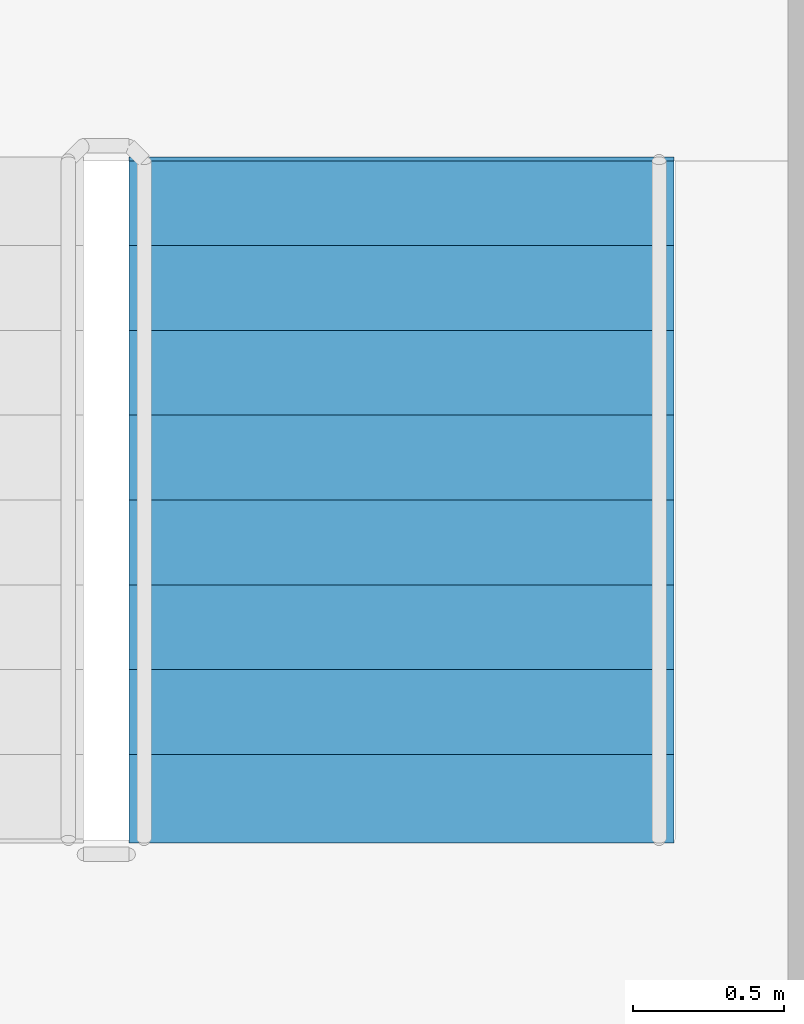
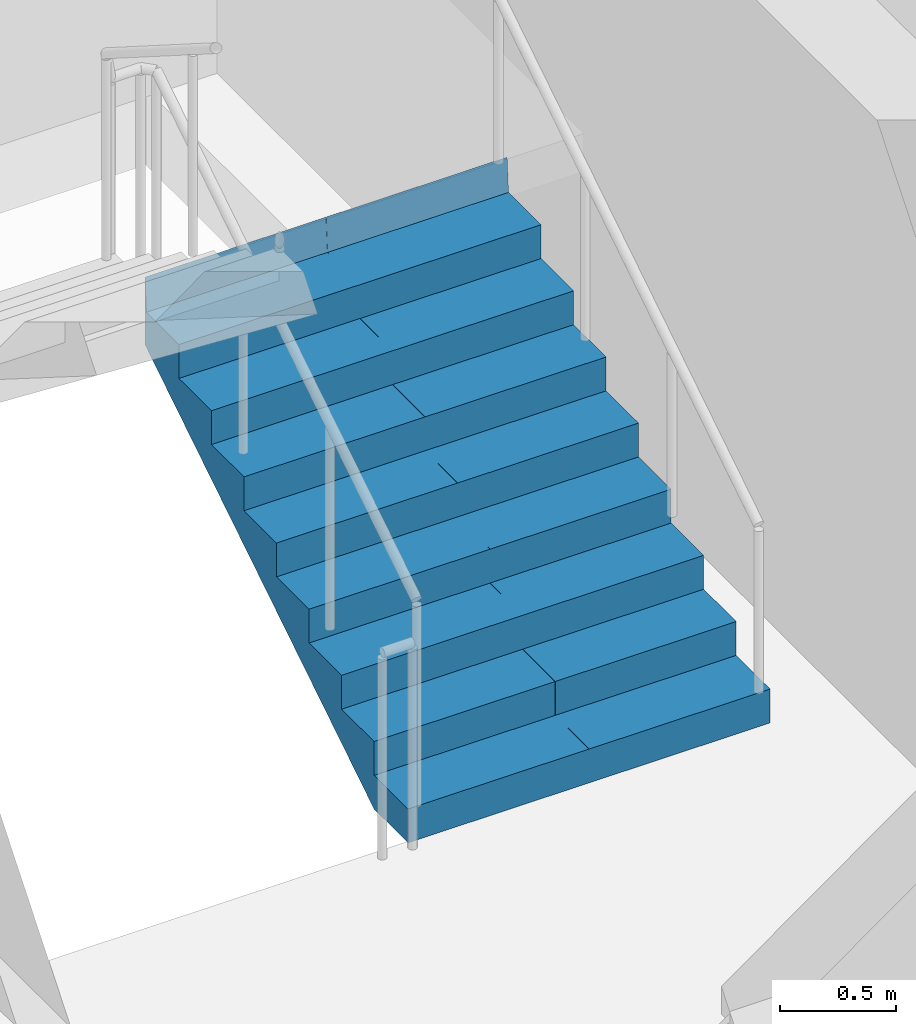
# One storey, part 14 of 17: 1 stair flight, 1 element without a shape of its own.
"""IFC4 building model written with IfcOpenShell, lengths in metres."""

from ifc_helpers import new_model, si_unit, direction, frame, origin, place, context, subcontext, project, spatial, polyline, outline, extrude, material, type_object, element, aggregate, save


model = new_model("IFC4")

# Units and contexts
model_context = context("Model", 3, precision=1e-05, world=origin(), true_north=direction((0.0, 1.0)))
body_context = subcontext(model_context, "Body", "Model", "MODEL_VIEW")
ifc_project = project(units=[si_unit("LENGTHUNIT", "METRE"), si_unit("AREAUNIT", "SQUARE_METRE"), si_unit("VOLUMEUNIT", "CUBIC_METRE"), si_unit("PLANEANGLEUNIT", "RADIAN"), si_unit("MASSUNIT", "GRAM", prefix="KILO")], contexts=[model_context])

# Site, building, storey
site_placement = place(None, origin())
site = spatial("IfcSite", under=ifc_project, at=site_placement, CompositionType="ELEMENT")
building_placement = place(site_placement, origin())
building = spatial("IfcBuilding", under=site, at=building_placement, Name="Wharfspan Tower", CompositionType="ELEMENT")
storey_placement = place(building_placement, frame((0.0, 0.0, 261.100098)))
storey = spatial("IfcBuildingStorey", under=building, at=storey_placement, Name="L66", CompositionType="ELEMENT", Elevation=261.100098)

# Stair, stair flight
ifc_material = material(Name="Concrete C40/50", Category="concrete")
stair_type = type_object("IfcStairType", Name="Half-turn stair 18 risers 178 mm", PredefinedType="HALF_TURN_STAIR", material=ifc_material)
stair_placement = place(storey_placement, origin())
stair = element("IfcStair", 1, at=stair_placement, inside=storey, type_object=stair_type, Name="L66 stair ST2", PredefinedType="HALF_TURN_STAIR")
stair_flight_type = type_object("IfcStairFlightType", Name="Stair flight 18 risers 178 mm", PredefinedType="STRAIGHT", material=ifc_material)
stair_flight_placement = place(storey_placement, frame((49.5, 42.0, 0.0), z_axis=(0.0, 0.0, 1.0), x_axis=(0.0, 1.0, 0.0)))
stair_flight = element("IfcStairFlight", 2, at=stair_flight_placement, type_object=stair_flight_type, Name="ST2 flight 1", NumberOfRisers=9, NumberOfTreads=8, PredefinedType="STRAIGHT", RiserHeight=0.177778, TreadLength=0.28, context=body_context, shape_type="SweptSolid", body=[
    extrude(outline(polyline([(-0.011963, 0.0), (-0.011963, 0.177734), (0.0, 0.177734), (0.280029, 0.177734), (0.280029, 0.355469), (0.560059, 0.355469), (0.560059, 0.533447), (0.840088, 0.533447), (0.840088, 0.711182), (1.120117, 0.711182), (1.120117, 0.888916), (1.399902, 0.888916), (1.399902, 1.06665), (1.679932, 1.06665), (1.679932, 1.244385), (1.959961, 1.244385), (1.959961, 1.422119), (2.23999, 1.422119), (2.251953, 1.600098), (2.251953, 1.244629), (0.279785, 0.0), (-0.011963, 0.0)])), frame((0.0, 0.899902, 0.0), z_axis=(0.0, -1.0, 0.0), x_axis=(1.0, 0.0, 0.0)), (0.0, 0.0, 1.0), 0.899414),
    extrude(outline(polyline([(-0.011963, 0.0), (-0.011963, 0.177734), (0.0, 0.177734), (0.280029, 0.177734), (0.280029, 0.355469), (0.560059, 0.355469), (0.560059, 0.533447), (0.840088, 0.533447), (0.840088, 0.711182), (1.120117, 0.711182), (1.120117, 0.888916), (1.399902, 0.888916), (1.399902, 1.06665), (1.679932, 1.06665), (1.679932, 1.244385), (1.959961, 1.244385), (1.959961, 1.422119), (2.23999, 1.422119), (2.251953, 1.600098), (2.251953, 1.244629), (0.279785, 0.0), (-0.011963, 0.0)])), frame((0.0, -0.000488, 0.0), z_axis=(0.0, -1.0, 0.0), x_axis=(1.0, 0.0, 0.0)), (0.0, 0.0, 1.0), 0.899414),
])
aggregate(stair, [stair_flight])

save(model, "model.ifc")
